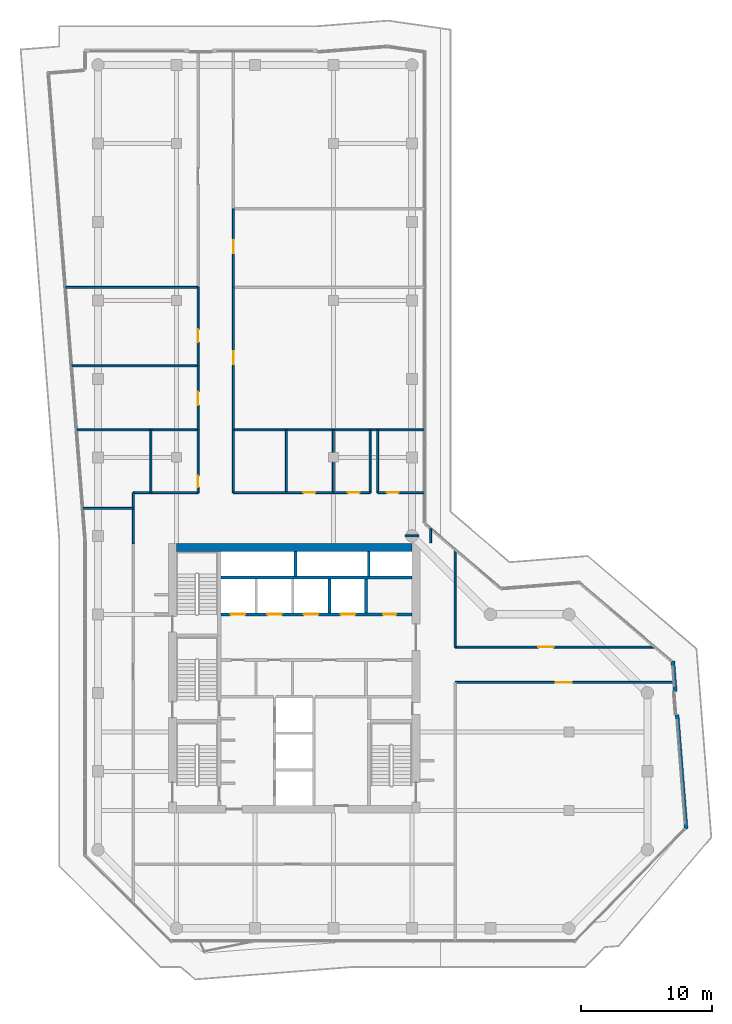
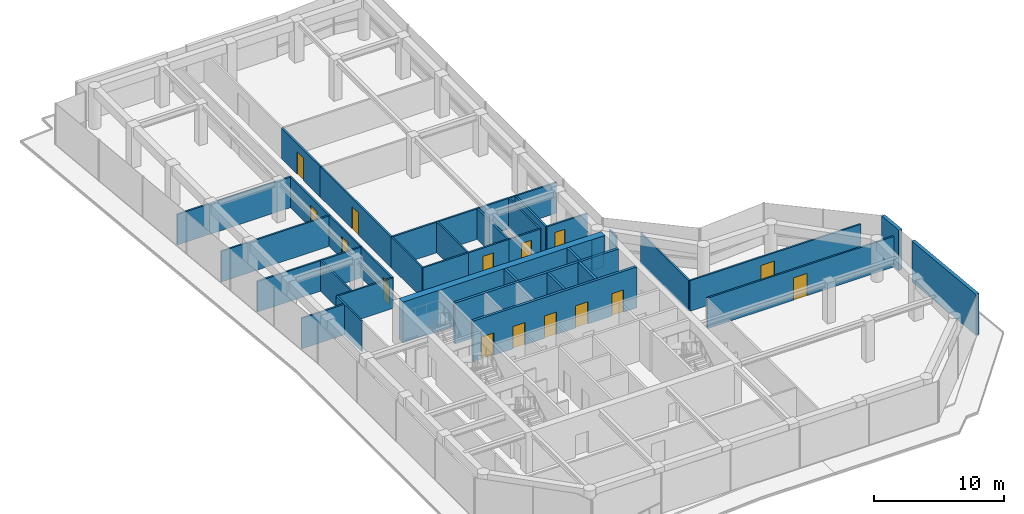
# One storey, part 20 of 23: 36 walls, 15 doors, 15 openings.
"""IFC4 building model written with IfcOpenShell, lengths in metres."""

from ifc_helpers import new_model, si_unit, direction, frame, frame_2d, origin, place, context, subcontext, project, spatial, rectangle, extrude, material, layer, layer_set, type_object, element, fill, save


model = new_model("IFC4")

# Units and contexts
model_context = context("Model", 3, precision=1e-05, world=origin(), true_north=direction((0.0, 1.0)))
body_context = subcontext(model_context, "Body", "Model", "MODEL_VIEW")
ifc_project = project(units=[si_unit("LENGTHUNIT", "METRE"), si_unit("AREAUNIT", "SQUARE_METRE"), si_unit("VOLUMEUNIT", "CUBIC_METRE"), si_unit("PLANEANGLEUNIT", "RADIAN"), si_unit("MASSUNIT", "GRAM", prefix="KILO")], contexts=[model_context])

# Site, building, storey
site_placement = place(None, origin())
site = spatial("IfcSite", under=ifc_project, at=site_placement, CompositionType="ELEMENT")
building_placement = place(site_placement, origin())
building = spatial("IfcBuilding", under=site, at=building_placement, Name="Welwitschia Terrace Campus", CompositionType="ELEMENT")
storey_placement = place(building_placement, frame((0.0, 0.0, 188.60009765625)))
storey = spatial("IfcBuildingStorey", under=building, at=storey_placement, Name="L42", CompositionType="ELEMENT", Elevation=188.60009765625)

# Wall, openings, doors
ifc_material_1 = material(Name="Concrete C32/40", Category="concrete")
ifc_layer_1 = layer(ifc_material_1, 0.22509765625)
ifc_layer_set_1 = layer_set([ifc_layer_1], Name="Concrete C32/40")
wall_type_1 = type_object("IfcWallType", Name="Core partition 225 Concrete C32/40", PredefinedType="PARTITIONING", material=ifc_layer_set_1)
wall_1_placement = place(storey_placement, frame((24.0, 20.0, 0.0), z_axis=(0.0, 0.0, 1.0), x_axis=(-1.0, 0.0, 0.0)))
wall_1 = element("IfcWall", 1, at=wall_1_placement, inside=storey, type_object=wall_type_1, Name="Shaft wall", PredefinedType="PARTITIONING", context=body_context, shape_type="SweptSolid", body=[
    extrude(rectangle(XDim=14.60009765625, YDim=0.22509765625, at=frame_2d((7.300048828125, 0.0))), origin(), (0.0, 0.0, 1.0), 3.849853515625),
])
opening_1_placement = place(wall_1_placement, frame((12.75, 0.0, 0.0)))
opening_1 = element("IfcOpeningElement", 2, at=opening_1_placement, cuts=wall_1, Name="Opening LD", PredefinedType="OPENING", context=body_context, shape_type="SweptSolid", body=[
    extrude(rectangle(XDim=1.10009765625, YDim=2.10009765625, at=frame_2d((0.550048828125, 1.050048828125))), frame((0.0, 0.12255859375, 0.0), z_axis=(0.0, -1.0, 0.0), x_axis=(1.0, 0.0, 0.0)), (0.0, 0.0, 1.0), 0.2451171875),
])
opening_2_placement = place(wall_1_placement, frame((9.949951171875, 0.0, 0.0)))
opening_2 = element("IfcOpeningElement", 3, at=opening_2_placement, cuts=wall_1, Name="Opening LD", PredefinedType="OPENING", context=body_context, shape_type="SweptSolid", body=[
    extrude(rectangle(XDim=1.10009765625, YDim=2.10009765625, at=frame_2d((0.550048828125, 1.050048828125))), frame((0.0, 0.12255859375, 0.0), z_axis=(0.0, -1.0, 0.0), x_axis=(1.0, 0.0, 0.0)), (0.0, 0.0, 1.0), 0.2451171875),
])
opening_3_placement = place(wall_1_placement, frame((7.14990234375, 0.0, 0.0)))
opening_3 = element("IfcOpeningElement", 4, at=opening_3_placement, cuts=wall_1, Name="Opening LD", PredefinedType="OPENING", context=body_context, shape_type="SweptSolid", body=[
    extrude(rectangle(XDim=1.10009765625, YDim=2.10009765625, at=frame_2d((0.550048828125, 1.050048828125))), frame((0.0, 0.12255859375, 0.0), z_axis=(0.0, -1.0, 0.0), x_axis=(1.0, 0.0, 0.0)), (0.0, 0.0, 1.0), 0.2451171875),
])
opening_4_placement = place(wall_1_placement, frame((4.35009765625, 0.0, 0.0)))
opening_4 = element("IfcOpeningElement", 5, at=opening_4_placement, cuts=wall_1, Name="Opening LD", PredefinedType="OPENING", context=body_context, shape_type="SweptSolid", body=[
    extrude(rectangle(XDim=1.10009765625, YDim=2.10009765625, at=frame_2d((0.550048828125, 1.050048828125))), frame((0.0, 0.12255859375, 0.0), z_axis=(0.0, -1.0, 0.0), x_axis=(1.0, 0.0, 0.0)), (0.0, 0.0, 1.0), 0.2451171875),
])
opening_5_placement = place(wall_1_placement, frame((1.199951171875, 0.0, 0.0)))
opening_5 = element("IfcOpeningElement", 6, at=opening_5_placement, cuts=wall_1, Name="Opening DR10", PredefinedType="OPENING", context=body_context, shape_type="SweptSolid", body=[
    extrude(rectangle(XDim=1.0, YDim=2.10009765625, at=frame_2d((0.5, 1.050048828125))), frame((0.0, 0.12255859375, 0.0), z_axis=(0.0, -1.0, 0.0), x_axis=(1.0, 0.0, 0.0)), (0.0, 0.0, 1.0), 0.2451171875),
])
ifc_material_2 = material(Name="Steel S275", Category="steel")
door_type_1 = type_object("IfcDoorType", Name="Core door DR10", OperationType="SINGLE_SWING_LEFT", PredefinedType="DOOR", material=ifc_material_2)
door_1_placement = place(opening_5_placement, origin())
door_1 = element("IfcDoor", 7, at=door_1_placement, inside=storey, type_object=door_type_1, Name="Door EH-D", OperationType="SINGLE_SWING_LEFT", OverallHeight=2.10009765625, OverallWidth=1.0, PredefinedType="DOOR", context=body_context, shape_type="SweptSolid", body=[
    extrude(rectangle(XDim=1.0, YDim=2.10009765625, at=frame_2d((0.5, 1.050048828125))), frame((0.0, 0.02490234375, 0.0), z_axis=(0.0, -1.0, 0.0), x_axis=(1.0, 0.0, 0.0)), (0.0, 0.0, 1.0), 0.050048828125),
])
fill(opening_5, door_1)
ifc_material_3 = material(Name="Stainless steel 304", Category="steel")
door_type_2 = type_object("IfcDoorType", Name="Lift landing door", OperationType="DOUBLE_DOOR_SLIDING", PredefinedType="DOOR", material=ifc_material_3)
door_2_placement = place(opening_1_placement, origin())
door_2 = element("IfcDoor", 8, at=door_2_placement, inside=storey, type_object=door_type_2, Name="Landing door HR1", OperationType="DOUBLE_DOOR_SLIDING", OverallHeight=2.10009765625, OverallWidth=1.10009765625, PredefinedType="DOOR", context=body_context, shape_type="SweptSolid", body=[
    extrude(rectangle(XDim=1.10009765625, YDim=2.10009765625, at=frame_2d((0.550048828125, 1.050048828125))), frame((0.0, 0.02490234375, 0.0), z_axis=(0.0, -1.0, 0.0), x_axis=(1.0, 0.0, 0.0)), (0.0, 0.0, 1.0), 0.050048828125),
])
fill(opening_1, door_2)
door_3_placement = place(opening_2_placement, origin())
door_3 = element("IfcDoor", 9, at=door_3_placement, inside=storey, type_object=door_type_2, Name="Landing door HR2", OperationType="DOUBLE_DOOR_SLIDING", OverallHeight=2.10009765625, OverallWidth=1.10009765625, PredefinedType="DOOR", context=body_context, shape_type="SweptSolid", body=[
    extrude(rectangle(XDim=1.10009765625, YDim=2.10009765625, at=frame_2d((0.550048828125, 1.050048828125))), frame((0.0, 0.02490234375, 0.0), z_axis=(0.0, -1.0, 0.0), x_axis=(1.0, 0.0, 0.0)), (0.0, 0.0, 1.0), 0.050048828125),
])
fill(opening_2, door_3)
door_4_placement = place(opening_3_placement, origin())
door_4 = element("IfcDoor", 10, at=door_4_placement, inside=storey, type_object=door_type_2, Name="Landing door HR3", OperationType="DOUBLE_DOOR_SLIDING", OverallHeight=2.10009765625, OverallWidth=1.10009765625, PredefinedType="DOOR", context=body_context, shape_type="SweptSolid", body=[
    extrude(rectangle(XDim=1.10009765625, YDim=2.10009765625, at=frame_2d((0.550048828125, 1.050048828125))), frame((0.0, 0.02490234375, 0.0), z_axis=(0.0, -1.0, 0.0), x_axis=(1.0, 0.0, 0.0)), (0.0, 0.0, 1.0), 0.050048828125),
])
fill(opening_3, door_4)
door_5_placement = place(opening_4_placement, origin())
door_5 = element("IfcDoor", 11, at=door_5_placement, inside=storey, type_object=door_type_2, Name="Landing door HR4", OperationType="DOUBLE_DOOR_SLIDING", OverallHeight=2.10009765625, OverallWidth=1.10009765625, PredefinedType="DOOR", context=body_context, shape_type="SweptSolid", body=[
    extrude(rectangle(XDim=1.10009765625, YDim=2.10009765625, at=frame_2d((0.550048828125, 1.050048828125))), frame((0.0, 0.02490234375, 0.0), z_axis=(0.0, -1.0, 0.0), x_axis=(1.0, 0.0, 0.0)), (0.0, 0.0, 1.0), 0.050048828125),
])
fill(opening_4, door_5)

# Walls
wall_2_placement = place(storey_placement, frame((9.39990234375, 22.800048828125, 0.0), z_axis=(0.0, 0.0, 1.0), x_axis=(1.0, 0.0, 0.0)))
element("IfcWall", 12, at=wall_2_placement, inside=storey, type_object=wall_type_1, Name="Shaft wall", PredefinedType="PARTITIONING", context=body_context, shape_type="SweptSolid", body=[
    extrude(rectangle(XDim=14.60009765625, YDim=0.22509765625, at=frame_2d((7.300048828125, 0.0))), origin(), (0.0, 0.0, 1.0), 3.849853515625),
])
wall_3_placement = place(storey_placement, frame((20.5, 20.10009765625, 0.0), z_axis=(0.0, 0.0, 1.0), x_axis=(0.0, 1.0, 0.0)))
element("IfcWall", 13, at=wall_3_placement, inside=storey, type_object=wall_type_1, Name="Shaft wall", PredefinedType="PARTITIONING", context=body_context, shape_type="SweptSolid", body=[
    extrude(rectangle(XDim=2.599853515625, YDim=0.22509765625, at=frame_2d((1.2998046875, 0.0))), origin(), (0.0, 0.0, 1.0), 3.849853515625),
])
ifc_material_4 = material(Name="Concrete C50/60", Category="concrete")
ifc_layer_2 = layer(ifc_material_4, 0.199951171875)
ifc_layer_set_2 = layer_set([ifc_layer_2], Name="Concrete C50/60")
wall_type_2 = type_object("IfcWallType", Name="Core wall 200 Concrete C50/60", PredefinedType="SHEAR", material=ifc_layer_set_2)
for number, where, z_axis, x_axis, name in (
    (14, (15.10009765625, 22.89990234375, 0.0), (0.0, 0.0, 1.0), (0.0, 1.0, 0.0), "Core wall"),
    (15, (20.699951171875, 22.89990234375, 0.0), (0.0, 0.0, 1.0), (0.0, 1.0, 0.0), "Core wall"),
):
    element("IfcWall", number, at=place(storey_placement, frame(where, z_axis=z_axis, x_axis=x_axis)), inside=storey, type_object=wall_type_2, Name=name, PredefinedType="SHEAR", context=body_context, shape_type="SweptSolid", body=[
        extrude(rectangle(XDim=1.900146484375, YDim=0.199951171875, at=frame_2d((0.9501953125, 0.0))), origin(), (0.0, 0.0, 1.0), 3.849853515625),
    ])
ifc_material_5 = material(Name="Concrete C60/75", Category="concrete")
ifc_layer_3 = layer(ifc_material_5, 0.60009765625)
ifc_layer_set_3 = layer_set([ifc_layer_3], Name="Concrete C60/75")
wall_type_3 = type_object("IfcWallType", Name="Core wall 600 Concrete C60/75", PredefinedType="SHEAR", material=ifc_layer_set_3)
wall_4_placement = place(storey_placement, frame((6.0, 25.10009765625, 0.0), z_axis=(0.0, 0.0, 1.0), x_axis=(1.0, 0.0, 0.0)))
element("IfcWall", 16, at=wall_4_placement, inside=storey, type_object=wall_type_3, Name="Core outer wall", PredefinedType="SHEAR", context=body_context, shape_type="SweptSolid", body=[
    extrude(rectangle(XDim=18.0, YDim=0.60009765625, at=frame_2d((9.0, 0.0))), origin(), (0.0, 0.0, 1.0), 3.849853515625),
])
ifc_material_6 = material(Name="Gypsum board on steel studs", Category="steel")
ifc_layer_4 = layer(ifc_material_6, 0.14990234375)
ifc_layer_set_4 = layer_set([ifc_layer_4], Name="Gypsum board on steel studs")
wall_type_4 = type_object("IfcWallType", Name="Corridor partition 150 EI 30", PredefinedType="PARTITIONING", material=ifc_layer_set_4)
wall_5_placement = place(storey_placement, frame((-2.5, 45.0, 0.0), z_axis=(0.0, 0.0, 1.0), x_axis=(1.0, 0.0, 0.0)))
element("IfcWall", 17, at=wall_5_placement, inside=storey, type_object=wall_type_4, Name="Partition", PredefinedType="PARTITIONING", context=body_context, shape_type="SweptSolid", body=[
    extrude(rectangle(XDim=10.14990234375, YDim=0.14990234375, at=frame_2d((5.074951171875, 0.0))), origin(), (0.0, 0.0, 1.0), 2.8798828125),
])
wall_6_placement = place(storey_placement, frame((-2.030029296875, 39.0, 0.0), z_axis=(0.0, 0.0, 1.0), x_axis=(1.0, 0.0, 0.0)))
element("IfcWall", 18, at=wall_6_placement, inside=storey, type_object=wall_type_4, Name="Partition", PredefinedType="PARTITIONING", context=body_context, shape_type="SweptSolid", body=[
    extrude(rectangle(XDim=9.679931640625, YDim=0.14990234375, at=frame_2d((4.83984375, 0.0))), origin(), (0.0, 0.0, 1.0), 2.8798828125),
])
wall_7_placement = place(storey_placement, frame((-1.639892578125, 34.10009765625, 0.0), z_axis=(0.0, 0.0, 1.0), x_axis=(1.0, 0.0, 0.0)))
element("IfcWall", 19, at=wall_7_placement, inside=storey, type_object=wall_type_4, Name="Partition", PredefinedType="PARTITIONING", context=body_context, shape_type="SweptSolid", body=[
    extrude(rectangle(XDim=9.289794921875, YDim=0.14990234375, at=frame_2d((4.64501953125, 0.0))), origin(), (0.0, 0.0, 1.0), 2.8798828125),
])
wall_8_placement = place(storey_placement, frame((-1.169921875, 28.10009765625, 0.0), z_axis=(0.0, 0.0, 1.0), x_axis=(1.0, 0.0, 0.0)))
element("IfcWall", 20, at=wall_8_placement, inside=storey, type_object=wall_type_4, Name="Partition", PredefinedType="PARTITIONING", context=body_context, shape_type="SweptSolid", body=[
    extrude(rectangle(XDim=3.869873046875, YDim=0.14990234375, at=frame_2d((1.93505859375, 0.0))), origin(), (0.0, 0.0, 1.0), 2.8798828125),
])
wall_9_placement = place(storey_placement, frame((2.699951171875, 25.39990234375, 0.0), z_axis=(0.0, 0.0, 1.0), x_axis=(0.0, 1.0, 0.0)))
element("IfcWall", 21, at=wall_9_placement, inside=storey, type_object=wall_type_4, Name="Partition", PredefinedType="PARTITIONING", context=body_context, shape_type="SweptSolid", body=[
    extrude(rectangle(XDim=3.900146484375, YDim=0.14990234375, at=frame_2d((1.9501953125, 0.0))), origin(), (0.0, 0.0, 1.0), 2.8798828125),
])
wall_10_placement = place(storey_placement, frame((2.699951171875, 29.300048828125, 0.0), z_axis=(0.0, 0.0, 1.0), x_axis=(1.0, 0.0, 0.0)))
element("IfcWall", 22, at=wall_10_placement, inside=storey, type_object=wall_type_4, Name="Partition", PredefinedType="PARTITIONING", context=body_context, shape_type="SweptSolid", body=[
    extrude(rectangle(XDim=4.949951171875, YDim=0.14990234375, at=frame_2d((2.47509765625, 0.0))), origin(), (0.0, 0.0, 1.0), 2.8798828125),
])
wall_11_placement = place(storey_placement, frame((4.050048828125, 29.300048828125, 0.0), z_axis=(0.0, 0.0, 1.0), x_axis=(0.0, 1.0, 0.0)))
element("IfcWall", 23, at=wall_11_placement, inside=storey, type_object=wall_type_4, Name="Partition", PredefinedType="PARTITIONING", context=body_context, shape_type="SweptSolid", body=[
    extrude(rectangle(XDim=4.800048828125, YDim=0.14990234375, at=frame_2d((2.39990234375, 0.0))), origin(), (0.0, 0.0, 1.0), 2.8798828125),
])

# Wall, opening, door
wall_12_placement = place(storey_placement, frame((7.64990234375, 29.300048828125, 0.0), z_axis=(0.0, 0.0, 1.0), x_axis=(0.0, 1.0, 0.0)))
wall_12 = element("IfcWall", 24, at=wall_12_placement, inside=storey, type_object=wall_type_4, Name="Partition", PredefinedType="PARTITIONING", context=body_context, shape_type="SweptSolid", body=[
    extrude(rectangle(XDim=4.800048828125, YDim=0.14990234375, at=frame_2d((2.39990234375, 0.0))), origin(), (0.0, 0.0, 1.0), 2.8798828125),
])
opening_6_placement = place(wall_12_placement, frame((0.39990234375, 0.0, 0.0)))
opening_6 = element("IfcOpeningElement", 25, at=opening_6_placement, cuts=wall_12, Name="Opening DI09", PredefinedType="OPENING", context=body_context, shape_type="SweptSolid", body=[
    extrude(rectangle(XDim=0.89990234375, YDim=2.10009765625, at=frame_2d((0.449951171875, 1.050048828125))), frame((0.0, 0.0849609375, 0.0), z_axis=(0.0, -1.0, 0.0), x_axis=(1.0, 0.0, 0.0)), (0.0, 0.0, 1.0), 0.169921875),
])
ifc_material_7 = material(Name="Timber veneered door", Category="wood")
door_type_3 = type_object("IfcDoorType", Name="Interior door DI09", OperationType="NOTDEFINED", PredefinedType="DOOR", material=ifc_material_7)
door_6_placement = place(opening_6_placement, origin())
door_6 = element("IfcDoor", 26, at=door_6_placement, inside=storey, type_object=door_type_3, Name="Door L42 824", OperationType="SINGLE_SWING_LEFT", OverallHeight=2.10009765625, OverallWidth=0.89990234375, PredefinedType="DOOR", context=body_context, shape_type="SweptSolid", body=[
    extrude(rectangle(XDim=0.89990234375, YDim=2.10009765625, at=frame_2d((0.449951171875, 1.050048828125))), frame((0.0, 0.02490234375, 0.0), z_axis=(0.0, -1.0, 0.0), x_axis=(1.0, 0.0, 0.0)), (0.0, 0.0, 1.0), 0.050048828125),
])
fill(opening_6, door_6)

wall_13_placement = place(storey_placement, frame((7.64990234375, 34.10009765625, 0.0), z_axis=(0.0, 0.0, 1.0), x_axis=(0.0, 1.0, 0.0)))
wall_13 = element("IfcWall", 27, at=wall_13_placement, inside=storey, type_object=wall_type_4, Name="Partition", PredefinedType="PARTITIONING", context=body_context, shape_type="SweptSolid", body=[
    extrude(rectangle(XDim=4.89990234375, YDim=0.14990234375, at=frame_2d((2.449951171875, 0.0))), origin(), (0.0, 0.0, 1.0), 2.8798828125),
])
opening_7_placement = place(wall_13_placement, frame((1.89990234375, 0.0, 0.0)))
opening_7 = element("IfcOpeningElement", 28, at=opening_7_placement, cuts=wall_13, Name="Opening DI10", PredefinedType="OPENING", context=body_context, shape_type="SweptSolid", body=[
    extrude(rectangle(XDim=1.0, YDim=2.10009765625, at=frame_2d((0.5, 1.050048828125))), frame((0.0, 0.0849609375, 0.0), z_axis=(0.0, -1.0, 0.0), x_axis=(1.0, 0.0, 0.0)), (0.0, 0.0, 1.0), 0.169921875),
])
ifc_material_8 = material(Name="Timber veneered door", Category="wood")
door_type_4 = type_object("IfcDoorType", Name="Interior door DI10", OperationType="NOTDEFINED", PredefinedType="DOOR", material=ifc_material_8)
door_7_placement = place(opening_7_placement, origin())
door_7 = element("IfcDoor", 29, at=door_7_placement, inside=storey, type_object=door_type_4, Name="Door L42 825", OperationType="SINGLE_SWING_RIGHT", OverallHeight=2.10009765625, OverallWidth=1.0, PredefinedType="DOOR", context=body_context, shape_type="SweptSolid", body=[
    extrude(rectangle(XDim=1.0, YDim=2.10009765625, at=frame_2d((0.5, 1.050048828125))), frame((0.0, 0.02490234375, 0.0), z_axis=(0.0, -1.0, 0.0), x_axis=(1.0, 0.0, 0.0)), (0.0, 0.0, 1.0), 0.050048828125),
])
fill(opening_7, door_7)

wall_14_placement = place(storey_placement, frame((7.64990234375, 39.0, 0.0), z_axis=(0.0, 0.0, 1.0), x_axis=(0.0, 1.0, 0.0)))
wall_14 = element("IfcWall", 30, at=wall_14_placement, inside=storey, type_object=wall_type_4, Name="Partition", PredefinedType="PARTITIONING", context=body_context, shape_type="SweptSolid", body=[
    extrude(rectangle(XDim=6.0, YDim=0.14990234375, at=frame_2d((3.0, 0.0))), origin(), (0.0, 0.0, 1.0), 2.8798828125),
])
opening_8_placement = place(wall_14_placement, frame((1.800048828125, 0.0, 0.0)))
opening_8 = element("IfcOpeningElement", 31, at=opening_8_placement, cuts=wall_14, Name="Opening DI10", PredefinedType="OPENING", context=body_context, shape_type="SweptSolid", body=[
    extrude(rectangle(XDim=1.0, YDim=2.10009765625, at=frame_2d((0.5, 1.050048828125))), frame((0.0, 0.0849609375, 0.0), z_axis=(0.0, -1.0, 0.0), x_axis=(1.0, 0.0, 0.0)), (0.0, 0.0, 1.0), 0.169921875),
])
door_8_placement = place(opening_8_placement, origin())
door_8 = element("IfcDoor", 32, at=door_8_placement, inside=storey, type_object=door_type_4, Name="Door L42 826", OperationType="SINGLE_SWING_LEFT", OverallHeight=2.10009765625, OverallWidth=1.0, PredefinedType="DOOR", context=body_context, shape_type="SweptSolid", body=[
    extrude(rectangle(XDim=1.0, YDim=2.10009765625, at=frame_2d((0.5, 1.050048828125))), frame((0.0, 0.02490234375, 0.0), z_axis=(0.0, -1.0, 0.0), x_axis=(1.0, 0.0, 0.0)), (0.0, 0.0, 1.0), 0.050048828125),
])
fill(opening_8, door_8)

# Walls
wall_15_placement = place(storey_placement, frame((10.35009765625, 29.300048828125, 0.0), z_axis=(0.0, 0.0, 1.0), x_axis=(0.0, 1.0, 0.0)))
element("IfcWall", 33, at=wall_15_placement, inside=storey, type_object=wall_type_4, Name="Partition", PredefinedType="PARTITIONING", context=body_context, shape_type="SweptSolid", body=[
    extrude(rectangle(XDim=4.800048828125, YDim=0.14990234375, at=frame_2d((2.39990234375, 0.0))), origin(), (0.0, 0.0, 1.0), 2.8798828125),
])
wall_16_placement = place(storey_placement, frame((10.35009765625, 29.300048828125, 0.0), z_axis=(0.0, 0.0, 1.0), x_axis=(1.0, 0.0, 0.0)))
element("IfcWall", 34, at=wall_16_placement, inside=storey, type_object=wall_type_4, Name="Partition", PredefinedType="PARTITIONING", context=body_context, shape_type="SweptSolid", body=[
    extrude(rectangle(XDim=4.0498046875, YDim=0.14990234375, at=frame_2d((2.02490234375, 0.0))), origin(), (0.0, 0.0, 1.0), 2.8798828125),
])
wall_17_placement = place(storey_placement, frame((10.35009765625, 34.10009765625, 0.0), z_axis=(0.0, 0.0, 1.0), x_axis=(1.0, 0.0, 0.0)))
element("IfcWall", 35, at=wall_17_placement, inside=storey, type_object=wall_type_4, Name="Partition", PredefinedType="PARTITIONING", context=body_context, shape_type="SweptSolid", body=[
    extrude(rectangle(XDim=14.6298828125, YDim=0.14990234375, at=frame_2d((7.31494140625, 0.0))), origin(), (0.0, 0.0, 1.0), 2.8798828125),
])

# Wall, opening, door
wall_18_placement = place(storey_placement, frame((10.35009765625, 45.0, 0.0), z_axis=(0.0, 0.0, 1.0), x_axis=(0.0, -1.0, 0.0)))
wall_18 = element("IfcWall", 36, at=wall_18_placement, inside=storey, type_object=wall_type_4, Name="Partition", PredefinedType="PARTITIONING", context=body_context, shape_type="SweptSolid", body=[
    extrude(rectangle(XDim=10.89990234375, YDim=0.14990234375, at=frame_2d((5.449951171875, 0.0))), origin(), (0.0, 0.0, 1.0), 2.8798828125),
])
opening_9_placement = place(wall_18_placement, frame((4.89990234375, 0.0, 0.0)))
opening_9 = element("IfcOpeningElement", 37, at=opening_9_placement, cuts=wall_18, Name="Opening DI10", PredefinedType="OPENING", context=body_context, shape_type="SweptSolid", body=[
    extrude(rectangle(XDim=1.0, YDim=2.10009765625, at=frame_2d((0.5, 1.050048828125))), frame((0.0, 0.0849609375, 0.0), z_axis=(0.0, -1.0, 0.0), x_axis=(1.0, 0.0, 0.0)), (0.0, 0.0, 1.0), 0.169921875),
])
door_9_placement = place(opening_9_placement, origin())
door_9 = element("IfcDoor", 38, at=door_9_placement, inside=storey, type_object=door_type_4, Name="Door L42 828", OperationType="SINGLE_SWING_LEFT", OverallHeight=2.10009765625, OverallWidth=1.0, PredefinedType="DOOR", context=body_context, shape_type="SweptSolid", body=[
    extrude(rectangle(XDim=1.0, YDim=2.10009765625, at=frame_2d((0.5, 1.050048828125))), frame((0.0, 0.02490234375, 0.0), z_axis=(0.0, -1.0, 0.0), x_axis=(1.0, 0.0, 0.0)), (0.0, 0.0, 1.0), 0.050048828125),
])
fill(opening_9, door_9)

wall_19_placement = place(storey_placement, frame((10.35009765625, 51.0, 0.0), z_axis=(0.0, 0.0, 1.0), x_axis=(0.0, -1.0, 0.0)))
wall_19 = element("IfcWall", 39, at=wall_19_placement, inside=storey, type_object=wall_type_4, Name="Partition", PredefinedType="PARTITIONING", context=body_context, shape_type="SweptSolid", body=[
    extrude(rectangle(XDim=6.0, YDim=0.14990234375, at=frame_2d((3.0, 0.0))), origin(), (0.0, 0.0, 1.0), 2.8798828125),
])
opening_10_placement = place(wall_19_placement, frame((2.39990234375, 0.0, 0.0)))
opening_10 = element("IfcOpeningElement", 40, at=opening_10_placement, cuts=wall_19, Name="Opening DI10", PredefinedType="OPENING", context=body_context, shape_type="SweptSolid", body=[
    extrude(rectangle(XDim=1.0, YDim=2.10009765625, at=frame_2d((0.5, 1.050048828125))), frame((0.0, 0.0849609375, 0.0), z_axis=(0.0, -1.0, 0.0), x_axis=(1.0, 0.0, 0.0)), (0.0, 0.0, 1.0), 0.169921875),
])
door_10_placement = place(opening_10_placement, origin())
door_10 = element("IfcDoor", 41, at=door_10_placement, inside=storey, type_object=door_type_4, Name="Door L42 829", OperationType="SINGLE_SWING_RIGHT", OverallHeight=2.10009765625, OverallWidth=1.0, PredefinedType="DOOR", context=body_context, shape_type="SweptSolid", body=[
    extrude(rectangle(XDim=1.0, YDim=2.10009765625, at=frame_2d((0.5, 1.050048828125))), frame((0.0, 0.02490234375, 0.0), z_axis=(0.0, -1.0, 0.0), x_axis=(1.0, 0.0, 0.0)), (0.0, 0.0, 1.0), 0.050048828125),
])
fill(opening_10, door_10)

# Wall
wall_20_placement = place(storey_placement, frame((14.39990234375, 29.300048828125, 0.0), z_axis=(0.0, 0.0, 1.0), x_axis=(0.0, 1.0, 0.0)))
element("IfcWall", 42, at=wall_20_placement, inside=storey, type_object=wall_type_4, Name="Partition", PredefinedType="PARTITIONING", context=body_context, shape_type="SweptSolid", body=[
    extrude(rectangle(XDim=4.800048828125, YDim=0.14990234375, at=frame_2d((2.39990234375, 0.0))), origin(), (0.0, 0.0, 1.0), 2.8798828125),
])

# Wall, opening, door
wall_21_placement = place(storey_placement, frame((14.39990234375, 29.300048828125, 0.0), z_axis=(0.0, 0.0, 1.0), x_axis=(1.0, 0.0, 0.0)))
wall_21 = element("IfcWall", 43, at=wall_21_placement, inside=storey, type_object=wall_type_4, Name="Partition", PredefinedType="PARTITIONING", context=body_context, shape_type="SweptSolid", body=[
    extrude(rectangle(XDim=3.60009765625, YDim=0.14990234375, at=frame_2d((1.800048828125, 0.0))), origin(), (0.0, 0.0, 1.0), 2.8798828125),
])
opening_11_placement = place(wall_21_placement, frame((1.300048828125, 0.0, 0.0)))
opening_11 = element("IfcOpeningElement", 44, at=opening_11_placement, cuts=wall_21, Name="Opening DI09", PredefinedType="OPENING", context=body_context, shape_type="SweptSolid", body=[
    extrude(rectangle(XDim=0.89990234375, YDim=2.10009765625, at=frame_2d((0.449951171875, 1.050048828125))), frame((0.0, 0.0849609375, 0.0), z_axis=(0.0, -1.0, 0.0), x_axis=(1.0, 0.0, 0.0)), (0.0, 0.0, 1.0), 0.169921875),
])
door_11_placement = place(opening_11_placement, origin())
door_11 = element("IfcDoor", 45, at=door_11_placement, inside=storey, type_object=door_type_3, Name="Door L42 831", OperationType="SINGLE_SWING_RIGHT", OverallHeight=2.10009765625, OverallWidth=0.89990234375, PredefinedType="DOOR", context=body_context, shape_type="SweptSolid", body=[
    extrude(rectangle(XDim=0.89990234375, YDim=2.10009765625, at=frame_2d((0.449951171875, 1.050048828125))), frame((0.0, 0.02490234375, 0.0), z_axis=(0.0, -1.0, 0.0), x_axis=(1.0, 0.0, 0.0)), (0.0, 0.0, 1.0), 0.050048828125),
])
fill(opening_11, door_11)

# Wall
wall_22_placement = place(storey_placement, frame((18.0, 29.300048828125, 0.0), z_axis=(0.0, 0.0, 1.0), x_axis=(0.0, 1.0, 0.0)))
element("IfcWall", 46, at=wall_22_placement, inside=storey, type_object=wall_type_4, Name="Partition", PredefinedType="PARTITIONING", context=body_context, shape_type="SweptSolid", body=[
    extrude(rectangle(XDim=4.800048828125, YDim=0.14990234375, at=frame_2d((2.39990234375, 0.0))), origin(), (0.0, 0.0, 1.0), 2.8798828125),
])

# Wall, opening, door
wall_23_placement = place(storey_placement, frame((18.0, 29.300048828125, 0.0), z_axis=(0.0, 0.0, 1.0), x_axis=(1.0, 0.0, 0.0)))
wall_23 = element("IfcWall", 47, at=wall_23_placement, inside=storey, type_object=wall_type_4, Name="Partition", PredefinedType="PARTITIONING", context=body_context, shape_type="SweptSolid", body=[
    extrude(rectangle(XDim=2.800048828125, YDim=0.14990234375, at=frame_2d((1.39990234375, 0.0))), origin(), (0.0, 0.0, 1.0), 2.8798828125),
])
opening_12_placement = place(wall_23_placement, frame((1.10009765625, 0.0, 0.0)))
opening_12 = element("IfcOpeningElement", 48, at=opening_12_placement, cuts=wall_23, Name="Opening DI09", PredefinedType="OPENING", context=body_context, shape_type="SweptSolid", body=[
    extrude(rectangle(XDim=0.89990234375, YDim=2.10009765625, at=frame_2d((0.449951171875, 1.050048828125))), frame((0.0, 0.0849609375, 0.0), z_axis=(0.0, -1.0, 0.0), x_axis=(1.0, 0.0, 0.0)), (0.0, 0.0, 1.0), 0.169921875),
])
door_12_placement = place(opening_12_placement, origin())
door_12 = element("IfcDoor", 49, at=door_12_placement, inside=storey, type_object=door_type_3, Name="Door L42 832", OperationType="SINGLE_SWING_LEFT", OverallHeight=2.10009765625, OverallWidth=0.89990234375, PredefinedType="DOOR", context=body_context, shape_type="SweptSolid", body=[
    extrude(rectangle(XDim=0.89990234375, YDim=2.10009765625, at=frame_2d((0.449951171875, 1.050048828125))), frame((0.0, 0.02490234375, 0.0), z_axis=(0.0, -1.0, 0.0), x_axis=(1.0, 0.0, 0.0)), (0.0, 0.0, 1.0), 0.050048828125),
])
fill(opening_12, door_12)

# Walls
for number, where, z_axis, x_axis, name in (
    (50, (20.800048828125, 29.300048828125, 0.0), (0.0, 0.0, 1.0), (0.0, 1.0, 0.0), "Partition"),
    (51, (21.3798828125, 29.300048828125, 0.0), (0.0, 0.0, 1.0), (0.0, 1.0, 0.0), "Partition"),
):
    element("IfcWall", number, at=place(storey_placement, frame(where, z_axis=z_axis, x_axis=x_axis)), inside=storey, type_object=wall_type_4, Name=name, PredefinedType="PARTITIONING", context=body_context, shape_type="SweptSolid", body=[
        extrude(rectangle(XDim=4.800048828125, YDim=0.14990234375, at=frame_2d((2.39990234375, 0.0))), origin(), (0.0, 0.0, 1.0), 2.8798828125),
    ])

# Wall, opening, door
wall_24_placement = place(storey_placement, frame((21.3798828125, 29.300048828125, 0.0), z_axis=(0.0, 0.0, 1.0), x_axis=(1.0, 0.0, 0.0)))
wall_24 = element("IfcWall", 52, at=wall_24_placement, inside=storey, type_object=wall_type_4, Name="Partition", PredefinedType="PARTITIONING", context=body_context, shape_type="SweptSolid", body=[
    extrude(rectangle(XDim=3.60009765625, YDim=0.14990234375, at=frame_2d((1.800048828125, 0.0))), origin(), (0.0, 0.0, 1.0), 2.8798828125),
])
opening_13_placement = place(wall_24_placement, frame((0.699951171875, 0.0, 0.0)))
opening_13 = element("IfcOpeningElement", 53, at=opening_13_placement, cuts=wall_24, Name="Opening DI09", PredefinedType="OPENING", context=body_context, shape_type="SweptSolid", body=[
    extrude(rectangle(XDim=0.89990234375, YDim=2.10009765625, at=frame_2d((0.449951171875, 1.050048828125))), frame((0.0, 0.0849609375, 0.0), z_axis=(0.0, -1.0, 0.0), x_axis=(1.0, 0.0, 0.0)), (0.0, 0.0, 1.0), 0.169921875),
])
door_13_placement = place(opening_13_placement, origin())
door_13 = element("IfcDoor", 54, at=door_13_placement, inside=storey, type_object=door_type_3, Name="Door L42 833", OperationType="SINGLE_SWING_RIGHT", OverallHeight=2.10009765625, OverallWidth=0.89990234375, PredefinedType="DOOR", context=body_context, shape_type="SweptSolid", body=[
    extrude(rectangle(XDim=0.89990234375, YDim=2.10009765625, at=frame_2d((0.449951171875, 1.050048828125))), frame((0.0, 0.02490234375, 0.0), z_axis=(0.0, -1.0, 0.0), x_axis=(1.0, 0.0, 0.0)), (0.0, 0.0, 1.0), 0.050048828125),
])
fill(opening_13, door_13)

# Walls
for number, where, z_axis, x_axis, name in (
    (55, (23.47998046875, 26.0, 0.0), (0.0, 0.0, 1.0), (1.0, 0.0, 0.0), "Partition"),
    (56, (25.429931640625, 25.47998046875, 0.0), (0.0, 0.0, 1.0), (0.0, 1.0, 0.0), "Partition"),
):
    element("IfcWall", number, at=place(storey_placement, frame(where, z_axis=z_axis, x_axis=x_axis)), inside=storey, type_object=wall_type_4, Name=name, PredefinedType="PARTITIONING", context=body_context, shape_type="SweptSolid", body=[
        extrude(rectangle(XDim=1.050048828125, YDim=0.14990234375, at=frame_2d((0.52490234375, 0.0))), origin(), (0.0, 0.0, 1.0), 2.8798828125),
    ])

# Wall, opening, door
wall_25_placement = place(storey_placement, frame((27.300048828125, 14.800048828125, 0.0), z_axis=(0.0, 0.0, 1.0), x_axis=(1.0, 0.0, 0.0)))
wall_25 = element("IfcWall", 57, at=wall_25_placement, inside=storey, type_object=wall_type_4, Name="Partition", PredefinedType="PARTITIONING", context=body_context, shape_type="SweptSolid", body=[
    extrude(rectangle(XDim=16.78369140625, YDim=0.14990234375, at=frame_2d((8.391845703125, 0.0))), origin(), (0.0, 0.0, 1.0), 2.8798828125),
])
opening_14_placement = place(wall_25_placement, frame((7.699951171875, 0.0, 0.0)))
opening_14 = element("IfcOpeningElement", 58, at=opening_14_placement, cuts=wall_25, Name="Opening DI12", PredefinedType="OPENING", context=body_context, shape_type="SweptSolid", body=[
    extrude(rectangle(XDim=1.199951171875, YDim=2.10009765625, at=frame_2d((0.60009765625, 1.050048828125))), frame((0.0, 0.0849609375, 0.0), z_axis=(0.0, -1.0, 0.0), x_axis=(1.0, 0.0, 0.0)), (0.0, 0.0, 1.0), 0.169921875),
])
ifc_material_9 = material(Name="Timber veneered door", Category="wood")
door_type_5 = type_object("IfcDoorType", Name="Interior door DI12", OperationType="NOTDEFINED", PredefinedType="DOOR", material=ifc_material_9)
door_14_placement = place(opening_14_placement, origin())
door_14 = element("IfcDoor", 59, at=door_14_placement, inside=storey, type_object=door_type_5, Name="Door L42 835", OperationType="SINGLE_SWING_RIGHT", OverallHeight=2.10009765625, OverallWidth=1.199951171875, PredefinedType="DOOR", context=body_context, shape_type="SweptSolid", body=[
    extrude(rectangle(XDim=1.199951171875, YDim=2.10009765625, at=frame_2d((0.60009765625, 1.050048828125))), frame((0.0, 0.02490234375, 0.0), z_axis=(0.0, -1.0, 0.0), x_axis=(1.0, 0.0, 0.0)), (0.0, 0.0, 1.0), 0.050048828125),
])
fill(opening_14, door_14)

# Wall
wall_26_placement = place(storey_placement, frame((27.300048828125, 17.5, 0.0), z_axis=(0.0, 0.0, 1.0), x_axis=(0.0, 1.0, 0.0)))
element("IfcWall", 60, at=wall_26_placement, inside=storey, type_object=wall_type_4, Name="Partition", PredefinedType="PARTITIONING", context=body_context, shape_type="SweptSolid", body=[
    extrude(rectangle(XDim=7.43994140625, YDim=0.14990234375, at=frame_2d((3.719970703125, 0.0))), origin(), (0.0, 0.0, 1.0), 2.8798828125),
])

# Wall, opening, door
wall_27_placement = place(storey_placement, frame((27.300048828125, 17.5, 0.0), z_axis=(0.0, 0.0, 1.0), x_axis=(1.0, 0.0, 0.0)))
wall_27 = element("IfcWall", 61, at=wall_27_placement, inside=storey, type_object=wall_type_4, Name="Partition", PredefinedType="PARTITIONING", context=body_context, shape_type="SweptSolid", body=[
    extrude(rectangle(XDim=15.239990234375, YDim=0.14990234375, at=frame_2d((7.6201171875, 0.0))), origin(), (0.0, 0.0, 1.0), 2.8798828125),
])
opening_15_placement = place(wall_27_placement, frame((6.340087890625, 0.0, 0.0)))
opening_15 = element("IfcOpeningElement", 62, at=opening_15_placement, cuts=wall_27, Name="Opening DI12", PredefinedType="OPENING", context=body_context, shape_type="SweptSolid", body=[
    extrude(rectangle(XDim=1.199951171875, YDim=2.10009765625, at=frame_2d((0.60009765625, 1.050048828125))), frame((0.0, 0.0849609375, 0.0), z_axis=(0.0, -1.0, 0.0), x_axis=(1.0, 0.0, 0.0)), (0.0, 0.0, 1.0), 0.169921875),
])
door_15_placement = place(opening_15_placement, origin())
door_15 = element("IfcDoor", 63, at=door_15_placement, inside=storey, type_object=door_type_5, Name="Door L42 836", OperationType="SINGLE_SWING_LEFT", OverallHeight=2.10009765625, OverallWidth=1.199951171875, PredefinedType="DOOR", context=body_context, shape_type="SweptSolid", body=[
    extrude(rectangle(XDim=1.199951171875, YDim=2.10009765625, at=frame_2d((0.60009765625, 1.050048828125))), frame((0.0, 0.02490234375, 0.0), z_axis=(0.0, -1.0, 0.0), x_axis=(1.0, 0.0, 0.0)), (0.0, 0.0, 1.0), 0.050048828125),
])
fill(opening_15, door_15)

# Walls
ifc_material_10 = material(Name="Concrete C40/50", Category="concrete")
ifc_layer_5 = layer(ifc_material_10, 0.300048828125)
ifc_layer_set_5 = layer_set([ifc_layer_5], Name="Concrete C40/50")
wall_type_5 = type_object("IfcWallType", Name="Mass wall 300", PredefinedType="SOLIDWALL", material=ifc_layer_set_5)
wall_28_placement = place(storey_placement, frame((44.954833984375, 3.60107421875, 0.0), z_axis=(0.0, 0.0, 1.0), x_axis=(-0.078467243586, 0.996916692449, 0.0)))
element("IfcWall", 64, at=wall_28_placement, inside=storey, type_object=wall_type_5, Name="Mass wall L42.5.0", PredefinedType="SOLIDWALL", context=body_context, shape_type="SweptSolid", body=[
    extrude(rectangle(XDim=8.73974609375, YDim=0.300048828125, at=frame_2d((4.369873046875, 0.0))), origin(), (0.0, 0.0, 1.0), 3.849853515625),
])
wall_29_placement = place(storey_placement, frame((44.127685546875, 14.1083984375, 0.0), z_axis=(0.0, 0.0, 1.0), x_axis=(-0.078415427879, 0.996920769505, 0.0)))
element("IfcWall", 65, at=wall_29_placement, inside=storey, type_object=wall_type_5, Name="Mass wall L42.5.1", PredefinedType="SOLIDWALL", context=body_context, shape_type="SweptSolid", body=[
    extrude(rectangle(XDim=2.313232421875, YDim=0.300048828125, at=frame_2d((1.15673828125, 0.0))), origin(), (0.0, 0.0, 1.0), 3.849853515625),
])
ifc_material_11 = material(Name="Concrete C32/40", Category="concrete")
ifc_layer_6 = layer(ifc_material_11, 0.199951171875)
ifc_layer_set_6 = layer_set([ifc_layer_6], Name="Concrete C32/40")
wall_type_6 = type_object("IfcWallType", Name="Shaft wall 200 Concrete C32/40", PredefinedType="SOLIDWALL", material=ifc_layer_set_6)
wall_30_placement = place(storey_placement, frame((17.699951171875, 20.10009765625, 0.0), z_axis=(0.0, 0.0, 1.0), x_axis=(0.0, 1.0, 0.0)))
element("IfcWall", 66, at=wall_30_placement, inside=storey, type_object=wall_type_6, Name="Shaft wall", PredefinedType="SOLIDWALL", context=body_context, shape_type="SweptSolid", body=[
    extrude(rectangle(XDim=2.599853515625, YDim=0.199951171875, at=frame_2d((1.2998046875, 0.0))), origin(), (0.0, 0.0, 1.0), 3.849853515625),
])

save(model, "model.ifc")
